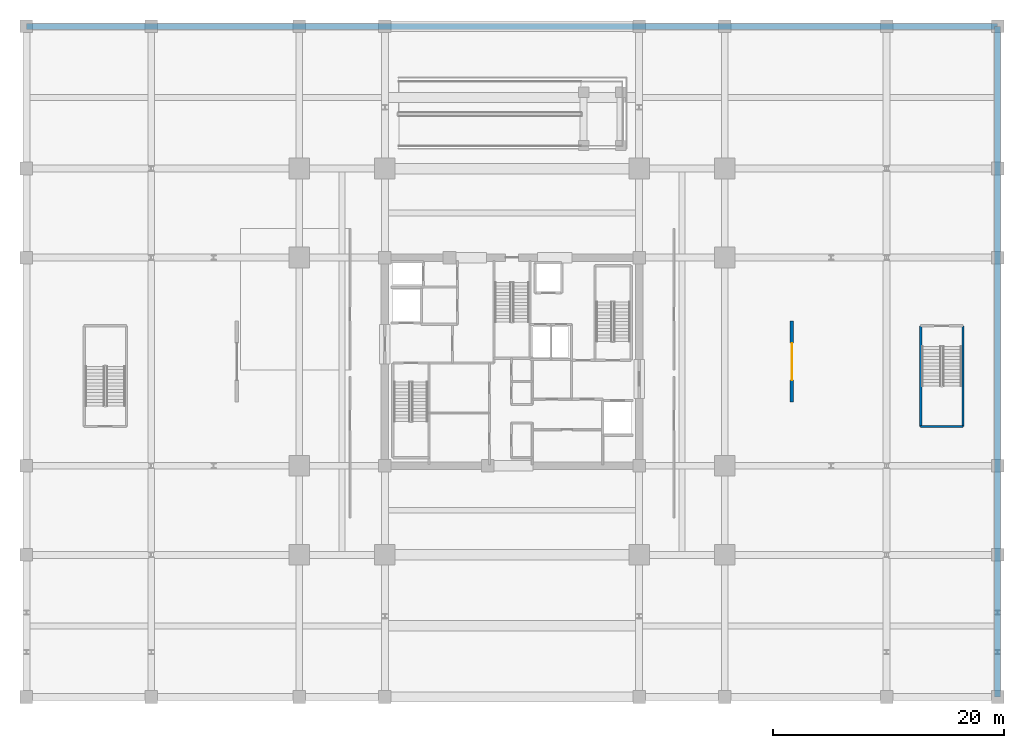
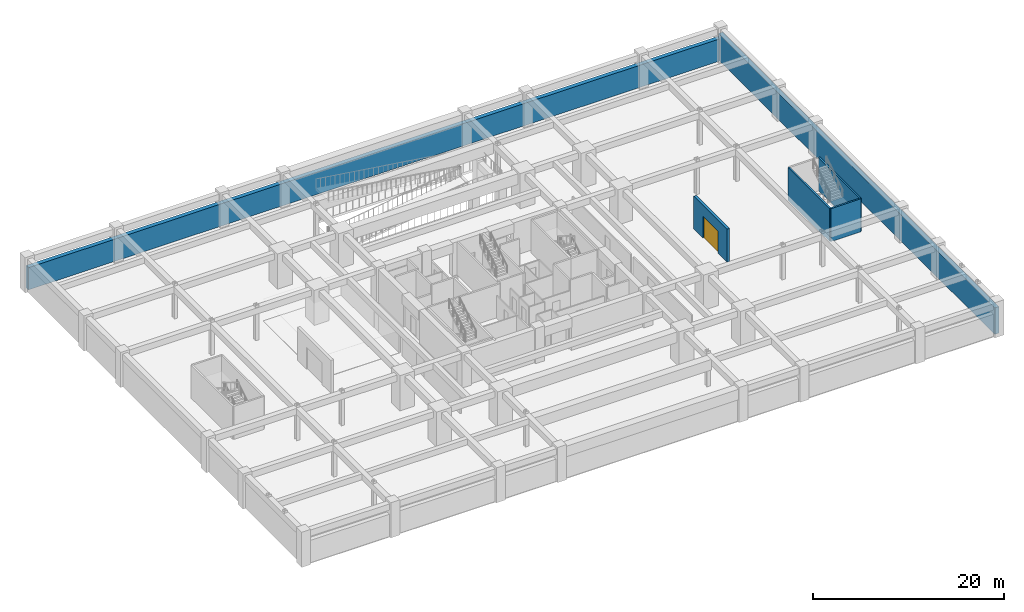
# One storey, part 10 of 16: 6 walls, 1 door, 1 opening.
"""IFC4 building model written with IfcOpenShell, lengths in metres."""

from ifc_helpers import new_model, si_unit, direction, frame, frame_2d, origin, place, context, subcontext, project, spatial, rectangle, extrude, material, layer, layer_set, type_object, element, fill, save


model = new_model("IFC4")

# Units and contexts
model_context = context("Model", 3, precision=1e-05, world=origin(), true_north=direction((0.0, 1.0)))
body_context = subcontext(model_context, "Body", "Model", "MODEL_VIEW")
ifc_project = project(units=[si_unit("LENGTHUNIT", "METRE"), si_unit("AREAUNIT", "SQUARE_METRE"), si_unit("VOLUMEUNIT", "CUBIC_METRE"), si_unit("PLANEANGLEUNIT", "RADIAN"), si_unit("MASSUNIT", "GRAM", prefix="KILO")], contexts=[model_context])

# Site, building, storey
site_placement = place(None, origin())
site = spatial("IfcSite", under=ifc_project, at=site_placement, CompositionType="ELEMENT")
building_placement = place(site_placement, origin())
building = spatial("IfcBuilding", under=site, at=building_placement, Name="Kovane Verandah Tower", CompositionType="ELEMENT")
storey_placement = place(building_placement, frame((0.0, 0.0, -4.5)))
storey = spatial("IfcBuildingStorey", under=building, at=storey_placement, Name="B1", CompositionType="ELEMENT", Elevation=-4.5)

# Wall, opening, door
ifc_material_1 = material(Name="Concrete C45/55 Podium Facade Wall", Category="concrete")
ifc_layer_1 = layer(ifc_material_1, 0.320068359375)
ifc_layer_set_1 = layer_set([ifc_layer_1], Name="Concrete C45/55 Podium Facade Wall")
wall_type_1 = type_object("IfcWallType", Name="WL-POD-320", PredefinedType="SOLIDWALL", material=ifc_layer_set_1)
wall_1_placement = place(storey_placement, frame((64.199951171875, 24.0, 0.0), z_axis=(0.0, 0.0, 1.0), x_axis=(0.0, 1.0, 0.0)))
wall_1 = element("IfcWall", 1, at=wall_1_placement, inside=storey, type_object=wall_type_1, Name="B1 Service Bay Enclosure Wall 2", PredefinedType="SOLIDWALL", context=body_context, shape_type="SweptSolid", body=[
    extrude(rectangle(XDim=7.0, YDim=0.320068359375, at=frame_2d((3.5, 0.0))), origin(), (0.0, 0.0, 1.0), 4.219970703125),
])
opening_placement = place(wall_1_placement, frame((1.89990234375, 0.0, 0.0)))
opening = element("IfcOpeningElement", 2, at=opening_placement, cuts=wall_1, Name="Opening VG-B1-002", PredefinedType="OPENING", context=body_context, shape_type="SweptSolid", body=[
    extrude(rectangle(XDim=3.199951171875, YDim=2.800048828125, at=frame_2d((1.60009765625, 1.39990234375))), frame((0.0, 0.16015625, 0.0), z_axis=(0.0, -1.0, 0.0), x_axis=(1.0, 0.0, 0.0)), (0.0, 0.0, 1.0), 0.320068359375),
])
ifc_material_2 = material(Name="Galvanised Steel Service Bay Roller Gate", Category="steel")
door_type = type_object("IfcDoorType", Name="DR-GATE-3200x2800", OperationType="ROLLINGUP", PredefinedType="GATE", material=ifc_material_2)
door_placement = place(opening_placement, origin())
door = element("IfcDoor", 3, at=door_placement, inside=storey, type_object=door_type, Name="B1 Service Roller Gate 2", OperationType="ROLLINGUP", OverallHeight=2.800048828125, OverallWidth=3.199951171875, PredefinedType="GATE", context=body_context, shape_type="SweptSolid", body=[
    extrude(rectangle(XDim=3.199951171875, YDim=2.800048828125, at=frame_2d((1.60009765625, 1.39990234375))), frame((0.0, 0.02490234375, 0.0), z_axis=(0.0, -1.0, 0.0), x_axis=(1.0, 0.0, 0.0)), (0.0, 0.0, 1.0), 0.050048828125),
])
fill(opening, door)

# Walls
ifc_material_3 = material(Name="Concrete C45/55", Category="concrete")
ifc_layer_2 = layer(ifc_material_3, 0.5)
ifc_layer_set_2 = layer_set([ifc_layer_2], Name="Concrete C45/55")
wall_type_2 = type_object("IfcWallType", Name="WL-RET-500", PredefinedType="USERDEFINED", material=ifc_layer_set_2)
wall_2_placement = place(storey_placement, frame((82.0, 56.5, 0.0), z_axis=(0.0, 0.0, 1.0), x_axis=(-1.0, 0.0, 0.0)))
element("IfcWall", 4, at=wall_2_placement, inside=storey, type_object=wall_type_2, Name="B1 Basement Perimeter Wall RN", ObjectType="RETAININGWALL", PredefinedType="USERDEFINED", context=body_context, shape_type="SweptSolid", body=[
    extrude(rectangle(XDim=84.0, YDim=0.5, at=frame_2d((42.0, 0.0))), origin(), (0.0, 0.0, 1.0), 2.85009765625),
])
wall_3_placement = place(storey_placement, frame((82.0, -1.5, 0.0), z_axis=(0.0, 0.0, 1.0), x_axis=(0.0, 1.0, 0.0)))
element("IfcWall", 5, at=wall_3_placement, inside=storey, type_object=wall_type_2, Name="B1 Basement Perimeter Wall RE", ObjectType="RETAININGWALL", PredefinedType="USERDEFINED", context=body_context, shape_type="SweptSolid", body=[
    extrude(rectangle(XDim=58.0, YDim=0.5, at=frame_2d((29.0, 0.0))), origin(), (0.0, 0.0, 1.0), 3.39990234375),
])
ifc_layer_3 = layer(ifc_material_3, 0.199951171875)
ifc_layer_set_3 = layer_set([ifc_layer_3], Name="Concrete C45/55")
wall_type_3 = type_object("IfcWallType", Name="WL-SHAFT-200", PredefinedType="SOLIDWALL", material=ifc_layer_set_3)
for number, where, z_axis, x_axis, name in (
    (6, (75.340087890625, 21.89990234375, 0.0), (0.0, 0.0, 1.0), (0.0, 1.0, 0.0), "W-B1-ST-05-W"),
    (7, (79.0, 21.89990234375, 0.0), (0.0, 0.0, 1.0), (0.0, 1.0, 0.0), "W-B1-ST-05-E"),
):
    element("IfcWall", number, at=place(storey_placement, frame(where, z_axis=z_axis, x_axis=x_axis)), inside=storey, type_object=wall_type_3, Name=name, PredefinedType="SOLIDWALL", context=body_context, shape_type="SweptSolid", body=[
        extrude(rectangle(XDim=8.7001953125, YDim=0.199951171875, at=frame_2d((4.35009765625, 0.0))), origin(), (0.0, 0.0, 1.0), 4.219970703125),
    ])
wall_4_placement = place(storey_placement, frame((75.340087890625, 21.89990234375, 0.0), z_axis=(0.0, 0.0, 1.0), x_axis=(1.0, 0.0, 0.0)))
element("IfcWall", 8, at=wall_4_placement, inside=storey, type_object=wall_type_3, Name="W-B1-ST-05-S", PredefinedType="SOLIDWALL", context=body_context, shape_type="SweptSolid", body=[
    extrude(rectangle(XDim=3.659912109375, YDim=0.199951171875, at=frame_2d((1.830078125, 0.0))), origin(), (0.0, 0.0, 1.0), 4.219970703125),
])

save(model, "model.ifc")
